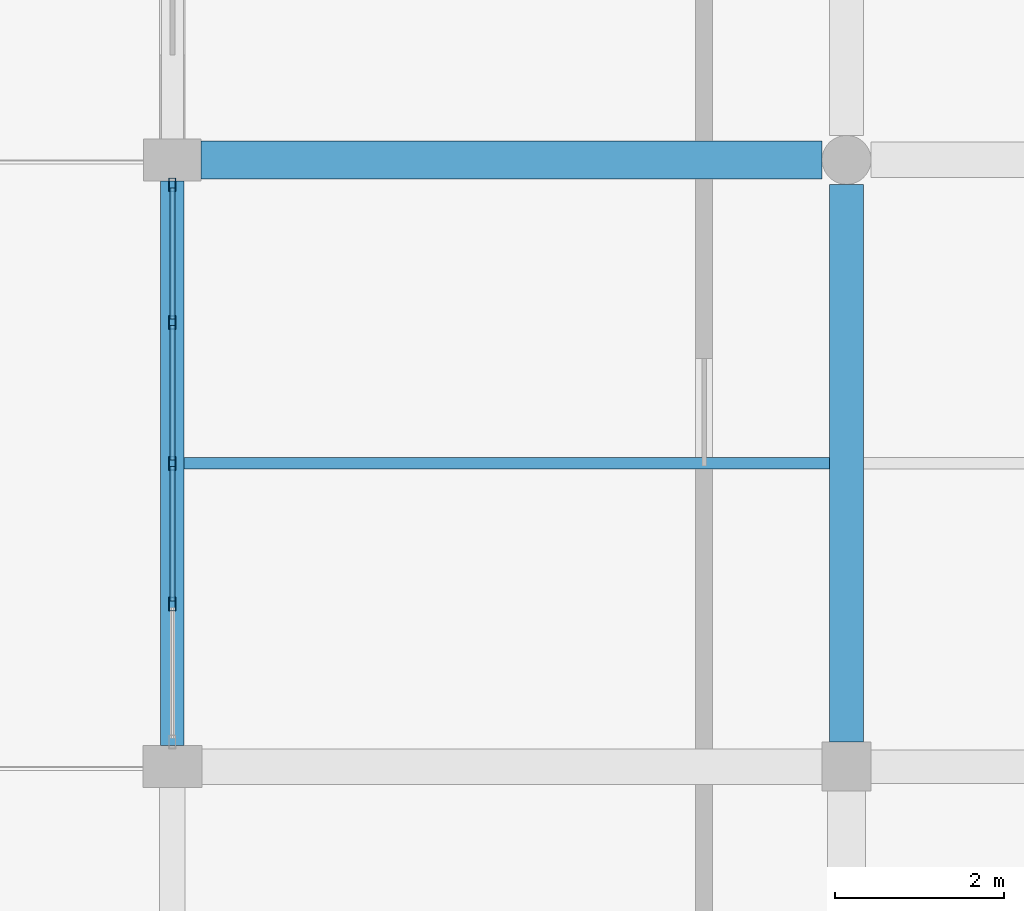
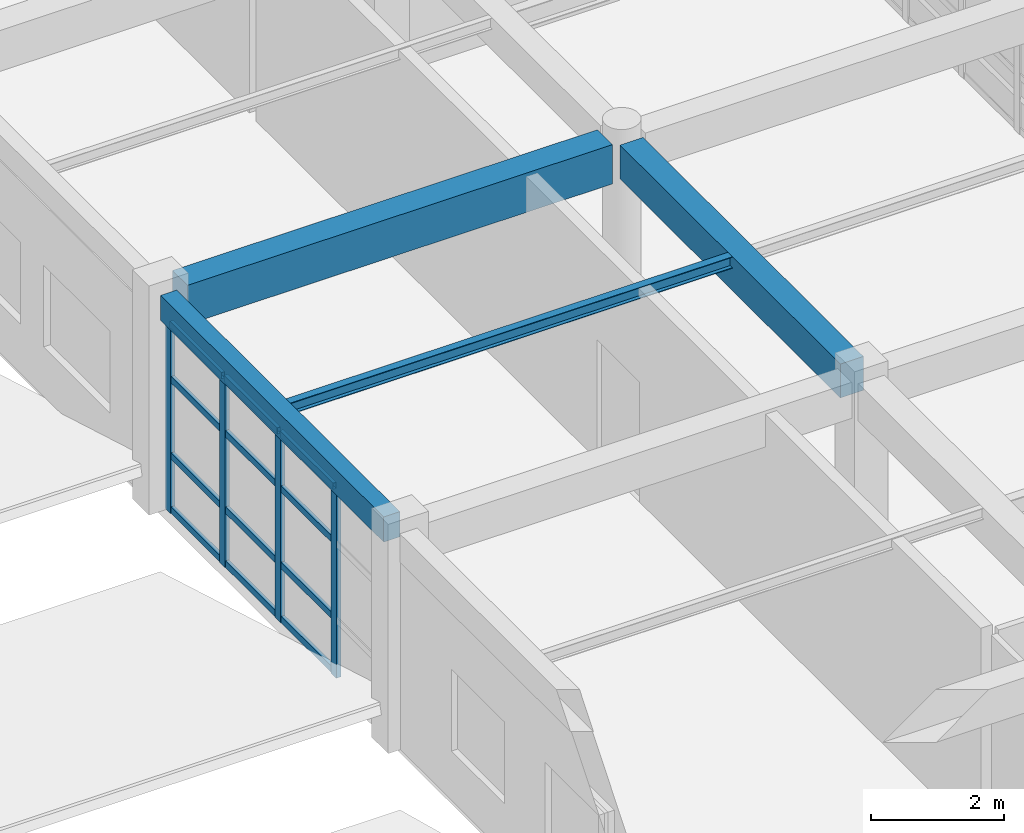
# One storey, part 50 of 121: 16 members, 4 beams, 1 element without a shape of its own.
"""IFC4 building model written with IfcOpenShell, lengths in metres."""

from ifc_helpers import new_model, si_unit, direction, frame, origin, origin_2d, place, context, subcontext, project, spatial, rectangle, hollow_rectangle, i_section, extrude, material, material_profile, profile_set, type_object, element, aggregate, save


model = new_model("IFC4")

# Units and contexts
model_context = context("Model", 3, precision=1e-05, world=origin(), true_north=direction((0.0, 1.0)))
body_context = subcontext(model_context, "Body", "Model", "MODEL_VIEW")
ifc_project = project(units=[si_unit("LENGTHUNIT", "METRE"), si_unit("AREAUNIT", "SQUARE_METRE"), si_unit("VOLUMEUNIT", "CUBIC_METRE"), si_unit("PLANEANGLEUNIT", "RADIAN"), si_unit("MASSUNIT", "GRAM", prefix="KILO")], contexts=[model_context])

# Site, building, storey
site_placement = place(None, origin())
site = spatial("IfcSite", under=ifc_project, at=site_placement, CompositionType="ELEMENT")
building_placement = place(site_placement, origin())
building = spatial("IfcBuilding", under=site, at=building_placement, Name="Kharva Crest Polytechnic", CompositionType="ELEMENT")
storey_placement = place(building_placement, frame((0.0, 0.0, 13.199951171875)))
storey = spatial("IfcBuildingStorey", under=building, at=storey_placement, Name="L03", CompositionType="ELEMENT", Elevation=13.199951171875)

# Beams
ifc_material_1 = material(Name="Concrete C35/45", Category="concrete")
ifc_material_profile_1 = material_profile(ifc_material_1, rectangle(XDim=0.39990234375, YDim=0.6201171875, at=origin_2d()), Name="RECT 400 X 620")
ifc_profile_set_1 = profile_set([ifc_material_profile_1], Name="Concrete C35/45")
beam_type_1 = type_object("IfcBeamType", Name="BM-RC-400X620", PredefinedType="BEAM", material=ifc_profile_set_1)
beam_1_placement = place(storey_placement, frame((40.0, 79.090087890625, 3.650146484375), z_axis=(0.0, 1.0, 0.0), x_axis=(-1.0, 0.0, 0.0)))
element("IfcBeam", 1, at=beam_1_placement, inside=storey, type_object=beam_type_1, Name="L03 Girder 6/L-M", PredefinedType="BEAM", context=body_context, shape_type="SweptSolid", body=[
    extrude(rectangle(XDim=0.39990234375, YDim=0.6201171875, at=origin_2d()), origin(), (0.0, 0.0, 1.0), 6.619873046875),
])
ifc_material_profile_2 = material_profile(ifc_material_1, rectangle(XDim=0.449951171875, YDim=0.719970703125, at=origin_2d()), Name="RECT 450 X 720")
ifc_profile_set_2 = profile_set([ifc_material_profile_2], Name="Concrete C35/45")
beam_type_2 = type_object("IfcBeamType", Name="BM-RC-450X720", PredefinedType="BEAM", material=ifc_profile_set_2)
beam_2_placement = place(storey_placement, frame((32.340087890625, 86.0, 3.60009765625), z_axis=(1.0, 0.0, 0.0), x_axis=(0.0, 1.0, 0.0)))
element("IfcBeam", 2, at=beam_2_placement, inside=storey, type_object=beam_type_2, Name="L03 Beam M/5-6", PredefinedType="BEAM", context=body_context, shape_type="SweptSolid", body=[
    extrude(rectangle(XDim=0.449951171875, YDim=0.719970703125, at=origin_2d()), origin(), (0.0, 0.0, 1.0), 7.369873046875),
])
ifc_material_2 = material(Name="Steel S355", Category="steel")
ifc_material_profile_3 = material_profile(ifc_material_2, i_section(OverallWidth=0.134033203125, OverallDepth=0.2099609375, WebThickness=0.00634765625, FlangeThickness=0.01025390625, at=origin_2d()), Name="W200X31.3")
ifc_profile_set_3 = profile_set([ifc_material_profile_3], Name="Steel S355")
beam_type_3 = type_object("IfcBeamType", Name="BM-STL-W200X31", PredefinedType="JOIST", material=ifc_profile_set_3)
beam_3_placement = place(storey_placement, frame((32.139892578125, 82.39990234375, 3.85498046875), z_axis=(1.0, 0.0, 0.0), x_axis=(0.0, 1.0, 0.0)))
element("IfcBeam", 3, at=beam_3_placement, inside=storey, type_object=beam_type_3, Name="L03 Floor Joist 9", PredefinedType="JOIST", context=body_context, shape_type="SweptSolid", body=[
    extrude(i_section(OverallWidth=0.134033203125, OverallDepth=0.2099609375, WebThickness=0.00634765625, FlangeThickness=0.01025390625, at=origin_2d()), origin(), (0.0, 0.0, 1.0), 7.66015625),
])

# Curtain wall, members
ifc_material_3 = material(Name="Tempered insulated glass", Category="glass")
curtain_wall_type = type_object("IfcCurtainWallType", Name="CW-SYS-COURT", PredefinedType="USERDEFINED", material=ifc_material_3)
curtain_wall_placement = place(storey_placement, origin())
curtain_wall = element("IfcCurtainWall", 4, at=curtain_wall_placement, inside=storey, type_object=curtain_wall_type, Name="L03 Glazed Curtain Wall CW-166", ObjectType="CURTAIN WALL", PredefinedType="USERDEFINED")
ifc_material_profile_4 = material_profile(ifc_material_2, hollow_rectangle(XDim=0.080078125, YDim=0.159912109375, WallThickness=0.0048828125, at=origin_2d()), Name="RHS 160X80X5.0")
ifc_profile_set_4 = profile_set([ifc_material_profile_4], Name="Steel S355")
member_type_1 = type_object("IfcMemberType", Name="CWM-RHS160X80", PredefinedType="MULLION", material=ifc_profile_set_4)
member_1_placement = place(storey_placement, frame((32.0, 85.705078125, 0.0), z_axis=(0.0, 0.0, 1.0), x_axis=(1.0, 0.0, 0.0)))
member_1 = element("IfcMember", 5, at=member_1_placement, type_object=member_type_1, Name="CW-166 mullion 1", PredefinedType="MULLION", context=body_context, shape_type="SweptSolid", body=[
    extrude(hollow_rectangle(XDim=0.080078125, YDim=0.159912109375, WallThickness=0.0048828125, at=origin_2d()), origin(), (0.0, 0.0, 1.0), 3.5),
])
member_2_placement = place(storey_placement, frame((32.0, 84.072509765625, 0.0), z_axis=(0.0, 0.0, 1.0), x_axis=(1.0, 0.0, 0.0)))
member_2 = element("IfcMember", 6, at=member_2_placement, type_object=member_type_1, Name="CW-166 mullion 2", PredefinedType="MULLION", context=body_context, shape_type="SweptSolid", body=[
    extrude(hollow_rectangle(XDim=0.080078125, YDim=0.159912109375, WallThickness=0.0048828125, at=origin_2d()), origin(), (0.0, 0.0, 1.0), 3.5),
])
member_3_placement = place(storey_placement, frame((32.0, 82.39990234375, 0.0), z_axis=(0.0, 0.0, 1.0), x_axis=(1.0, 0.0, 0.0)))
member_3 = element("IfcMember", 7, at=member_3_placement, type_object=member_type_1, Name="CW-166 mullion 3", PredefinedType="MULLION", context=body_context, shape_type="SweptSolid", body=[
    extrude(hollow_rectangle(XDim=0.080078125, YDim=0.159912109375, WallThickness=0.0048828125, at=origin_2d()), origin(), (0.0, 0.0, 1.0), 3.5),
])
member_4_placement = place(storey_placement, frame((32.0, 80.7275390625, 0.0), z_axis=(0.0, 0.0, 1.0), x_axis=(1.0, 0.0, 0.0)))
member_4 = element("IfcMember", 8, at=member_4_placement, type_object=member_type_1, Name="CW-166 mullion 4", PredefinedType="MULLION", context=body_context, shape_type="SweptSolid", body=[
    extrude(hollow_rectangle(XDim=0.080078125, YDim=0.159912109375, WallThickness=0.0048828125, at=origin_2d()), origin(), (0.0, 0.0, 1.0), 3.5),
])
ifc_material_profile_5 = material_profile(ifc_material_2, hollow_rectangle(XDim=0.06005859375, YDim=0.1201171875, WallThickness=0.00390625, at=origin_2d()), Name="RHS 120X60X4.0")
ifc_profile_set_5 = profile_set([ifc_material_profile_5], Name="Steel S355")
member_type_2 = type_object("IfcMemberType", Name="CWT-RHS120X60", PredefinedType="USERDEFINED", material=ifc_profile_set_5)
member_5_placement = place(storey_placement, frame((32.0, 85.6650390625, 0.06005859375), z_axis=(0.0, -1.0, 0.0), x_axis=(1.0, 0.0, 0.0)))
member_5 = element("IfcMember", 9, at=member_5_placement, type_object=member_type_2, Name="CW-166 transom 1.1", ObjectType="TRANSOM", PredefinedType="USERDEFINED", context=body_context, shape_type="SweptSolid", body=[
    extrude(hollow_rectangle(XDim=0.06005859375, YDim=0.1201171875, WallThickness=0.00390625, at=origin_2d()), origin(), (0.0, 0.0, 1.0), 1.552490234375),
])
member_6_placement = place(storey_placement, frame((32.0, 85.6650390625, 1.050048828125), z_axis=(0.0, -1.0, 0.0), x_axis=(1.0, 0.0, 0.0)))
member_6 = element("IfcMember", 10, at=member_6_placement, type_object=member_type_2, Name="CW-166 transom 1.2", ObjectType="TRANSOM", PredefinedType="USERDEFINED", context=body_context, shape_type="SweptSolid", body=[
    extrude(hollow_rectangle(XDim=0.06005859375, YDim=0.1201171875, WallThickness=0.00390625, at=origin_2d()), origin(), (0.0, 0.0, 1.0), 1.552490234375),
])
member_7_placement = place(storey_placement, frame((32.0, 85.6650390625, 2.449951171875), z_axis=(0.0, -1.0, 0.0), x_axis=(1.0, 0.0, 0.0)))
member_7 = element("IfcMember", 11, at=member_7_placement, type_object=member_type_2, Name="CW-166 transom 1.3", ObjectType="TRANSOM", PredefinedType="USERDEFINED", context=body_context, shape_type="SweptSolid", body=[
    extrude(hollow_rectangle(XDim=0.06005859375, YDim=0.1201171875, WallThickness=0.00390625, at=origin_2d()), origin(), (0.0, 0.0, 1.0), 1.552490234375),
])
member_8_placement = place(storey_placement, frame((32.0, 85.6650390625, 3.43994140625), z_axis=(0.0, -1.0, 0.0), x_axis=(1.0, 0.0, 0.0)))
member_8 = element("IfcMember", 12, at=member_8_placement, type_object=member_type_2, Name="CW-166 transom 1.4", ObjectType="TRANSOM", PredefinedType="USERDEFINED", context=body_context, shape_type="SweptSolid", body=[
    extrude(hollow_rectangle(XDim=0.06005859375, YDim=0.1201171875, WallThickness=0.00390625, at=origin_2d()), origin(), (0.0, 0.0, 1.0), 1.552490234375),
])
member_9_placement = place(storey_placement, frame((32.0, 84.032470703125, 0.06005859375), z_axis=(0.0, -1.0, 0.0), x_axis=(1.0, 0.0, 0.0)))
member_9 = element("IfcMember", 13, at=member_9_placement, type_object=member_type_2, Name="CW-166 transom 2.1", ObjectType="TRANSOM", PredefinedType="USERDEFINED", context=body_context, shape_type="SweptSolid", body=[
    extrude(hollow_rectangle(XDim=0.06005859375, YDim=0.1201171875, WallThickness=0.00390625, at=origin_2d()), origin(), (0.0, 0.0, 1.0), 1.592529296875),
])
member_10_placement = place(storey_placement, frame((32.0, 84.032470703125, 1.050048828125), z_axis=(0.0, -1.0, 0.0), x_axis=(1.0, 0.0, 0.0)))
member_10 = element("IfcMember", 14, at=member_10_placement, type_object=member_type_2, Name="CW-166 transom 2.2", ObjectType="TRANSOM", PredefinedType="USERDEFINED", context=body_context, shape_type="SweptSolid", body=[
    extrude(hollow_rectangle(XDim=0.06005859375, YDim=0.1201171875, WallThickness=0.00390625, at=origin_2d()), origin(), (0.0, 0.0, 1.0), 1.592529296875),
])
member_11_placement = place(storey_placement, frame((32.0, 84.032470703125, 2.449951171875), z_axis=(0.0, -1.0, 0.0), x_axis=(1.0, 0.0, 0.0)))
member_11 = element("IfcMember", 15, at=member_11_placement, type_object=member_type_2, Name="CW-166 transom 2.3", ObjectType="TRANSOM", PredefinedType="USERDEFINED", context=body_context, shape_type="SweptSolid", body=[
    extrude(hollow_rectangle(XDim=0.06005859375, YDim=0.1201171875, WallThickness=0.00390625, at=origin_2d()), origin(), (0.0, 0.0, 1.0), 1.592529296875),
])
member_12_placement = place(storey_placement, frame((32.0, 84.032470703125, 3.43994140625), z_axis=(0.0, -1.0, 0.0), x_axis=(1.0, 0.0, 0.0)))
member_12 = element("IfcMember", 16, at=member_12_placement, type_object=member_type_2, Name="CW-166 transom 2.4", ObjectType="TRANSOM", PredefinedType="USERDEFINED", context=body_context, shape_type="SweptSolid", body=[
    extrude(hollow_rectangle(XDim=0.06005859375, YDim=0.1201171875, WallThickness=0.00390625, at=origin_2d()), origin(), (0.0, 0.0, 1.0), 1.592529296875),
])
member_13_placement = place(storey_placement, frame((32.0, 82.360107421875, 0.06005859375), z_axis=(0.0, -1.0, 0.0), x_axis=(1.0, 0.0, 0.0)))
member_13 = element("IfcMember", 17, at=member_13_placement, type_object=member_type_2, Name="CW-166 transom 3.1", ObjectType="TRANSOM", PredefinedType="USERDEFINED", context=body_context, shape_type="SweptSolid", body=[
    extrude(hollow_rectangle(XDim=0.06005859375, YDim=0.1201171875, WallThickness=0.00390625, at=origin_2d()), origin(), (0.0, 0.0, 1.0), 1.592529296875),
])
member_14_placement = place(storey_placement, frame((32.0, 82.360107421875, 1.050048828125), z_axis=(0.0, -1.0, 0.0), x_axis=(1.0, 0.0, 0.0)))
member_14 = element("IfcMember", 18, at=member_14_placement, type_object=member_type_2, Name="CW-166 transom 3.2", ObjectType="TRANSOM", PredefinedType="USERDEFINED", context=body_context, shape_type="SweptSolid", body=[
    extrude(hollow_rectangle(XDim=0.06005859375, YDim=0.1201171875, WallThickness=0.00390625, at=origin_2d()), origin(), (0.0, 0.0, 1.0), 1.592529296875),
])
member_15_placement = place(storey_placement, frame((32.0, 82.360107421875, 2.449951171875), z_axis=(0.0, -1.0, 0.0), x_axis=(1.0, 0.0, 0.0)))
member_15 = element("IfcMember", 19, at=member_15_placement, type_object=member_type_2, Name="CW-166 transom 3.3", ObjectType="TRANSOM", PredefinedType="USERDEFINED", context=body_context, shape_type="SweptSolid", body=[
    extrude(hollow_rectangle(XDim=0.06005859375, YDim=0.1201171875, WallThickness=0.00390625, at=origin_2d()), origin(), (0.0, 0.0, 1.0), 1.592529296875),
])
member_16_placement = place(storey_placement, frame((32.0, 82.360107421875, 3.43994140625), z_axis=(0.0, -1.0, 0.0), x_axis=(1.0, 0.0, 0.0)))
member_16 = element("IfcMember", 20, at=member_16_placement, type_object=member_type_2, Name="CW-166 transom 3.4", ObjectType="TRANSOM", PredefinedType="USERDEFINED", context=body_context, shape_type="SweptSolid", body=[
    extrude(hollow_rectangle(XDim=0.06005859375, YDim=0.1201171875, WallThickness=0.00390625, at=origin_2d()), origin(), (0.0, 0.0, 1.0), 1.592529296875),
])
aggregate(curtain_wall, [member_1, member_2, member_3, member_4, member_5, member_6, member_7, member_8, member_9, member_10, member_11, member_12, member_13, member_14, member_15, member_16])

# Beam
ifc_material_profile_6 = material_profile(ifc_material_1, rectangle(XDim=0.280029296875, YDim=0.4599609375, at=origin_2d()), Name="RECT 280 X 460")
ifc_profile_set_6 = profile_set([ifc_material_profile_6], Name="Concrete C35/45")
beam_type_4 = type_object("IfcBeamType", Name="SP-RC-280X460", PredefinedType="SPANDREL", material=ifc_profile_set_6)
beam_4_placement = place(storey_placement, frame((32.0, 79.050048828125, 3.72998046875), z_axis=(0.0, 1.0, 0.0), x_axis=(-1.0, 0.0, 0.0)))
element("IfcBeam", 21, at=beam_4_placement, inside=storey, type_object=beam_type_4, Name="L03 Girder 5/L-M", PredefinedType="SPANDREL", context=body_context, shape_type="SweptSolid", body=[
    extrude(rectangle(XDim=0.280029296875, YDim=0.4599609375, at=origin_2d()), origin(), (0.0, 0.0, 1.0), 6.699951171875),
])

save(model, "model.ifc")
